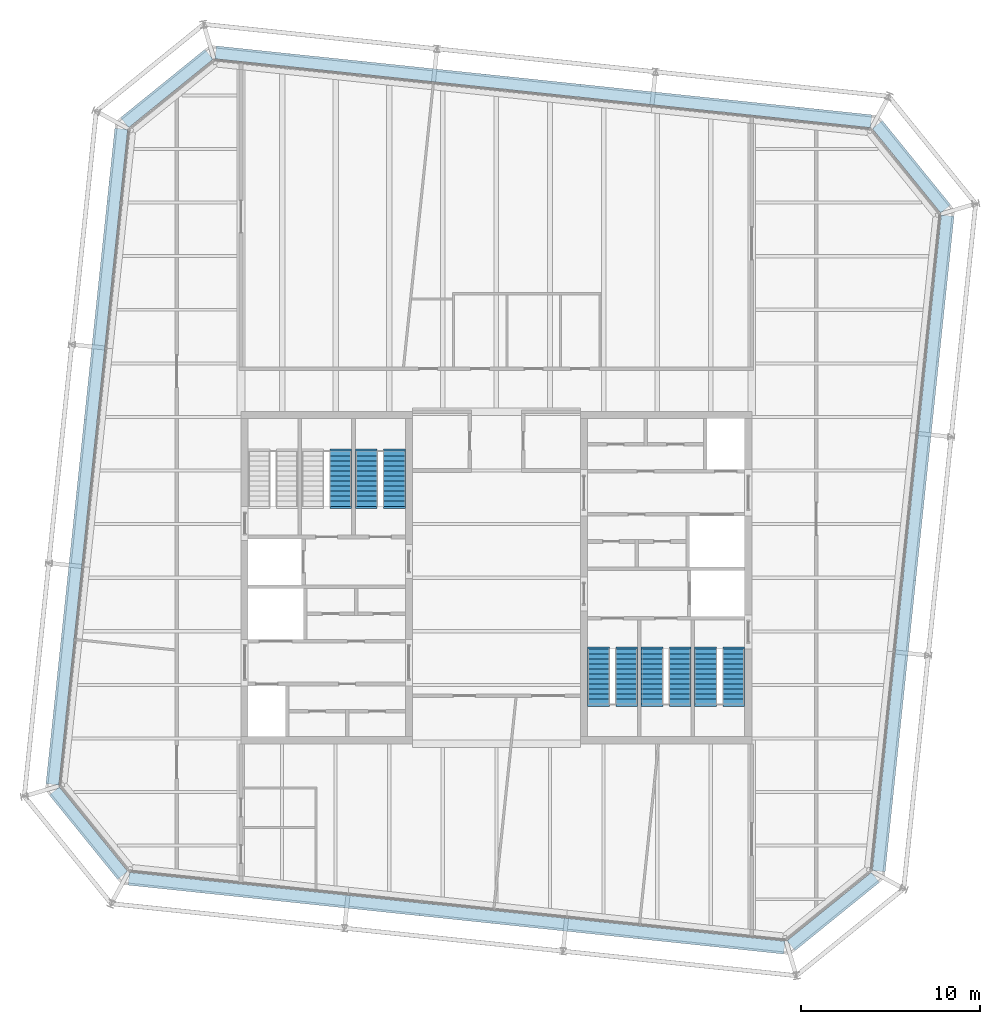
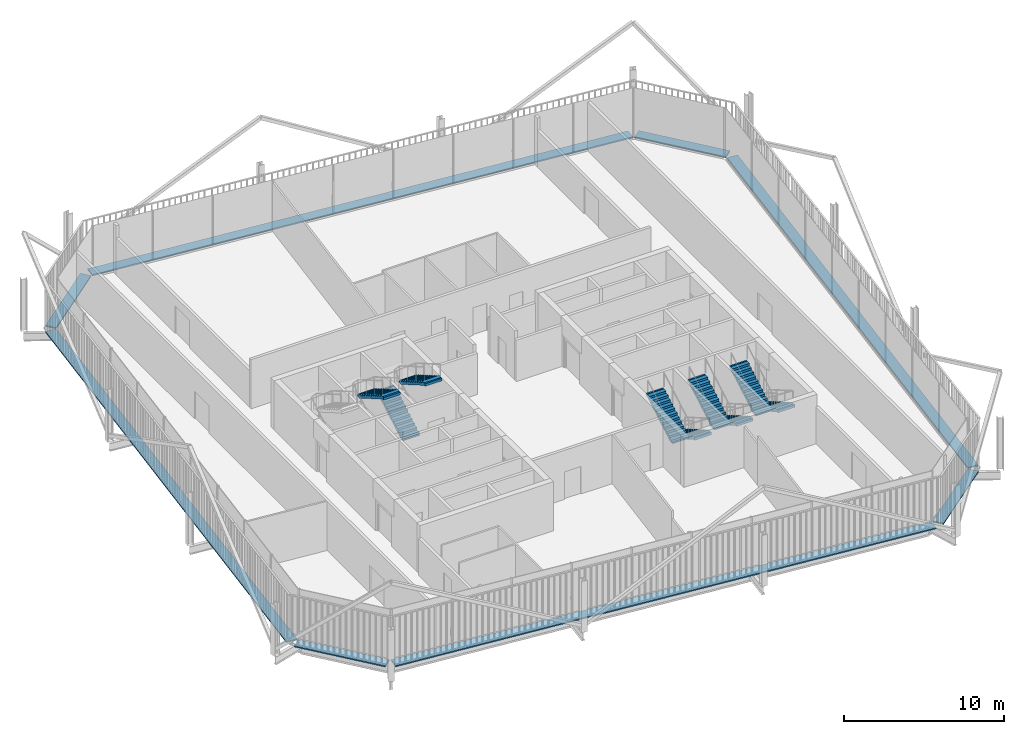
# One storey, part 20 of 21: 9 stair flights, 8 discrete accessories, 5 elements without a shape of their own.
"""IFC4 building model written with IfcOpenShell, lengths in metres."""

from ifc_helpers import new_model, si_unit, direction, frame, origin, origin_2d, place, context, subcontext, project, spatial, polyline, rectangle, outline, extrude, material, type_object, element, aggregate, save


model = new_model("IFC4")

# Units and contexts
model_context = context("Model", 3, precision=1e-05, world=origin(), true_north=direction((0.0, 1.0)))
body_context = subcontext(model_context, "Body", "Model", "MODEL_VIEW")
ifc_project = project(units=[si_unit("LENGTHUNIT", "METRE"), si_unit("AREAUNIT", "SQUARE_METRE"), si_unit("VOLUMEUNIT", "CUBIC_METRE"), si_unit("PLANEANGLEUNIT", "RADIAN"), si_unit("MASSUNIT", "GRAM", prefix="KILO")], contexts=[model_context])

# Site, building, storey
site_placement = place(None, origin())
site = spatial("IfcSite", under=ifc_project, at=site_placement, CompositionType="ELEMENT")
building_placement = place(site_placement, origin())
building = spatial("IfcBuilding", under=site, at=building_placement, Name="Millrace Tower", CompositionType="ELEMENT")
storey_placement = place(building_placement, frame((0.0, 0.0, 326.5)))
storey = spatial("IfcBuildingStorey", under=building, at=storey_placement, Name="L75", CompositionType="ELEMENT", Elevation=326.5)

# Stair, stair flight
ifc_material_1 = material(Name="Concrete C35", Category="concrete")
stair_type = type_object("IfcStairType", Name="Exit stair", PredefinedType="HALF_TURN_STAIR", material=ifc_material_1)
placement = place(storey_placement, origin())
stair_1 = element("IfcStair", 1, at=placement, inside=storey, type_object=stair_type, Name="Stair 2 W L75", PredefinedType="HALF_TURN_STAIR")
ifc_material_2 = material(Name="Concrete C35", Category="concrete")
stair_flight_type = type_object("IfcStairFlightType", Name="Exit stair flight", PredefinedType="STRAIGHT", material=ifc_material_2)
stair_flight_1_placement = place(storey_placement, frame((-8.7099609375, 7.080078125, 1.949951171875), z_axis=(0.0, 0.0, 1.0), x_axis=(0.0, -1.0, 0.0)))
stair_flight_1 = element("IfcStairFlight", 2, at=stair_flight_1_placement, type_object=stair_flight_type, Name="ST12 flight 2", NumberOfRisers=12, NumberOfTreads=11, PredefinedType="STRAIGHT", RiserHeight=0.1625, TreadLength=0.28, context=body_context, shape_type="SweptSolid", body=[
    extrude(outline(polyline([(-0.1201171875, -0.0400390625), (-0.1201171875, 0.0), (0.0, 0.0), (0.0, 0.16259765625), (0.280029296875, 0.16259765625), (0.280029296875, 0.324951171875), (0.56005859375, 0.324951171875), (0.56005859375, 0.487548828125), (0.840087890625, 0.487548828125), (0.840087890625, 0.64990234375), (1.1201171875, 0.64990234375), (1.1201171875, 0.8125), (1.39990234375, 0.8125), (1.39990234375, 0.97509765625), (1.679931640625, 0.97509765625), (1.679931640625, 1.137451171875), (1.9599609375, 1.137451171875), (1.9599609375, 1.300048828125), (2.239990234375, 1.300048828125), (2.239990234375, 1.46240234375), (2.52001953125, 1.46240234375), (2.52001953125, 1.625), (2.800048828125, 1.625), (2.800048828125, 1.78759765625), (3.080078125, 1.78759765625), (3.080078125, 1.8076171875), (3.199951171875, 1.8076171875), (3.199951171875, 1.6142578125), (3.080078125, 1.6142578125), (0.298583984375, 0.0), (0.298583984375, -0.0400390625), (-0.1201171875, -0.0400390625)])), frame((0.0, 0.60986328125, 0.0), z_axis=(0.0, -1.0, 0.0), x_axis=(1.0, 0.0, 0.0)), (0.0, 0.0, 1.0), 1.219970703125),
])
aggregate(stair_1, [stair_flight_1])

# Stair, stair flights
stair_2 = element("IfcStair", 3, at=placement, inside=storey, type_object=stair_type, Name="Stair 3 W L75", PredefinedType="HALF_TURN_STAIR")
stair_flight_2_placement = place(storey_placement, frame((-7.2900390625, 4.0, 0.0), z_axis=(0.0, 0.0, 1.0), x_axis=(0.0, 1.0, 0.0)))
stair_flight_2 = element("IfcStairFlight", 4, at=stair_flight_2_placement, type_object=stair_flight_type, Name="ST12 flight 1", NumberOfRisers=12, NumberOfTreads=11, PredefinedType="STRAIGHT", RiserHeight=0.1625, TreadLength=0.28, context=body_context, shape_type="SweptSolid", body=[
    extrude(outline(polyline([(-0.1201171875, -0.0400390625), (-0.1201171875, 0.0), (0.0, 0.0), (0.0, 0.16259765625), (0.280029296875, 0.16259765625), (0.280029296875, 0.324951171875), (0.56005859375, 0.324951171875), (0.56005859375, 0.487548828125), (0.840087890625, 0.487548828125), (0.840087890625, 0.64990234375), (1.1201171875, 0.64990234375), (1.1201171875, 0.8125), (1.39990234375, 0.8125), (1.39990234375, 0.97509765625), (1.679931640625, 0.97509765625), (1.679931640625, 1.137451171875), (1.9599609375, 1.137451171875), (1.9599609375, 1.300048828125), (2.239990234375, 1.300048828125), (2.239990234375, 1.46240234375), (2.52001953125, 1.46240234375), (2.52001953125, 1.625), (2.800048828125, 1.625), (2.800048828125, 1.78759765625), (3.080078125, 1.78759765625), (3.080078125, 1.8076171875), (3.199951171875, 1.8076171875), (3.199951171875, 1.6142578125), (3.080078125, 1.6142578125), (0.298583984375, 0.0), (0.298583984375, -0.0400390625), (-0.1201171875, -0.0400390625)])), frame((0.0, 0.60986328125, 0.0), z_axis=(0.0, -1.0, 0.0), x_axis=(1.0, 0.0, 0.0)), (0.0, 0.0, 1.0), 1.219970703125),
])
stair_flight_3_placement = place(storey_placement, frame((-5.7099609375, 7.080078125, 1.949951171875), z_axis=(0.0, 0.0, 1.0), x_axis=(0.0, -1.0, 0.0)))
stair_flight_3 = element("IfcStairFlight", 5, at=stair_flight_3_placement, type_object=stair_flight_type, Name="ST12 flight 2", NumberOfRisers=12, NumberOfTreads=11, PredefinedType="STRAIGHT", RiserHeight=0.1625, TreadLength=0.28, context=body_context, shape_type="SweptSolid", body=[
    extrude(outline(polyline([(-0.1201171875, -0.0400390625), (-0.1201171875, 0.0), (0.0, 0.0), (0.0, 0.16259765625), (0.280029296875, 0.16259765625), (0.280029296875, 0.324951171875), (0.56005859375, 0.324951171875), (0.56005859375, 0.487548828125), (0.840087890625, 0.487548828125), (0.840087890625, 0.64990234375), (1.1201171875, 0.64990234375), (1.1201171875, 0.8125), (1.39990234375, 0.8125), (1.39990234375, 0.97509765625), (1.679931640625, 0.97509765625), (1.679931640625, 1.137451171875), (1.9599609375, 1.137451171875), (1.9599609375, 1.300048828125), (2.239990234375, 1.300048828125), (2.239990234375, 1.46240234375), (2.52001953125, 1.46240234375), (2.52001953125, 1.625), (2.800048828125, 1.625), (2.800048828125, 1.78759765625), (3.080078125, 1.78759765625), (3.080078125, 1.8076171875), (3.199951171875, 1.8076171875), (3.199951171875, 1.6142578125), (3.080078125, 1.6142578125), (0.298583984375, 0.0), (0.298583984375, -0.0400390625), (-0.1201171875, -0.0400390625)])), frame((0.0, 0.60986328125, 0.0), z_axis=(0.0, -1.0, 0.0), x_axis=(1.0, 0.0, 0.0)), (0.0, 0.0, 1.0), 1.219970703125),
])
aggregate(stair_2, [stair_flight_2, stair_flight_3])

stair_3 = element("IfcStair", 6, at=placement, inside=storey, type_object=stair_type, Name="Stair 1 E L75", PredefinedType="HALF_TURN_STAIR")
stair_flight_4_placement = place(storey_placement, frame((13.2900390625, -4.0, 0.0), z_axis=(0.0, 0.0, 1.0), x_axis=(0.0, -1.0, 0.0)))
stair_flight_4 = element("IfcStairFlight", 7, at=stair_flight_4_placement, type_object=stair_flight_type, Name="ST12 flight 1", NumberOfRisers=12, NumberOfTreads=11, PredefinedType="STRAIGHT", RiserHeight=0.1625, TreadLength=0.28, context=body_context, shape_type="SweptSolid", body=[
    extrude(outline(polyline([(-0.1201171875, -0.0400390625), (-0.1201171875, 0.0), (0.0, 0.0), (0.0, 0.16259765625), (0.280029296875, 0.16259765625), (0.280029296875, 0.324951171875), (0.56005859375, 0.324951171875), (0.56005859375, 0.487548828125), (0.840087890625, 0.487548828125), (0.840087890625, 0.64990234375), (1.1201171875, 0.64990234375), (1.1201171875, 0.8125), (1.39990234375, 0.8125), (1.39990234375, 0.97509765625), (1.679931640625, 0.97509765625), (1.679931640625, 1.137451171875), (1.9599609375, 1.137451171875), (1.9599609375, 1.300048828125), (2.239990234375, 1.300048828125), (2.239990234375, 1.46240234375), (2.52001953125, 1.46240234375), (2.52001953125, 1.625), (2.800048828125, 1.625), (2.800048828125, 1.78759765625), (3.080078125, 1.78759765625), (3.080078125, 1.8076171875), (3.199951171875, 1.8076171875), (3.199951171875, 1.6142578125), (3.080078125, 1.6142578125), (0.298583984375, 0.0), (0.298583984375, -0.0400390625), (-0.1201171875, -0.0400390625)])), frame((0.0, 0.60986328125, 0.0), z_axis=(0.0, -1.0, 0.0), x_axis=(1.0, 0.0, 0.0)), (0.0, 0.0, 1.0), 1.219970703125),
])
stair_flight_5_placement = place(storey_placement, frame((11.7099609375, -7.080078125, 1.949951171875), z_axis=(0.0, 0.0, 1.0), x_axis=(0.0, 1.0, 0.0)))
stair_flight_5 = element("IfcStairFlight", 8, at=stair_flight_5_placement, type_object=stair_flight_type, Name="ST12 flight 2", NumberOfRisers=12, NumberOfTreads=11, PredefinedType="STRAIGHT", RiserHeight=0.1625, TreadLength=0.28, context=body_context, shape_type="SweptSolid", body=[
    extrude(outline(polyline([(-0.1201171875, -0.0400390625), (-0.1201171875, 0.0), (0.0, 0.0), (0.0, 0.16259765625), (0.280029296875, 0.16259765625), (0.280029296875, 0.324951171875), (0.56005859375, 0.324951171875), (0.56005859375, 0.487548828125), (0.840087890625, 0.487548828125), (0.840087890625, 0.64990234375), (1.1201171875, 0.64990234375), (1.1201171875, 0.8125), (1.39990234375, 0.8125), (1.39990234375, 0.97509765625), (1.679931640625, 0.97509765625), (1.679931640625, 1.137451171875), (1.9599609375, 1.137451171875), (1.9599609375, 1.300048828125), (2.239990234375, 1.300048828125), (2.239990234375, 1.46240234375), (2.52001953125, 1.46240234375), (2.52001953125, 1.625), (2.800048828125, 1.625), (2.800048828125, 1.78759765625), (3.080078125, 1.78759765625), (3.080078125, 1.8076171875), (3.199951171875, 1.8076171875), (3.199951171875, 1.6142578125), (3.080078125, 1.6142578125), (0.298583984375, 0.0), (0.298583984375, -0.0400390625), (-0.1201171875, -0.0400390625)])), frame((0.0, 0.60986328125, 0.0), z_axis=(0.0, -1.0, 0.0), x_axis=(1.0, 0.0, 0.0)), (0.0, 0.0, 1.0), 1.219970703125),
])
aggregate(stair_3, [stair_flight_4, stair_flight_5])

stair_4 = element("IfcStair", 9, at=placement, inside=storey, type_object=stair_type, Name="Stair 2 E L75", PredefinedType="HALF_TURN_STAIR")
stair_flight_6_placement = place(storey_placement, frame((10.2900390625, -4.0, 0.0), z_axis=(0.0, 0.0, 1.0), x_axis=(0.0, -1.0, 0.0)))
stair_flight_6 = element("IfcStairFlight", 10, at=stair_flight_6_placement, type_object=stair_flight_type, Name="ST12 flight 1", NumberOfRisers=12, NumberOfTreads=11, PredefinedType="STRAIGHT", RiserHeight=0.1625, TreadLength=0.28, context=body_context, shape_type="SweptSolid", body=[
    extrude(outline(polyline([(-0.1201171875, -0.0400390625), (-0.1201171875, 0.0), (0.0, 0.0), (0.0, 0.16259765625), (0.280029296875, 0.16259765625), (0.280029296875, 0.324951171875), (0.56005859375, 0.324951171875), (0.56005859375, 0.487548828125), (0.840087890625, 0.487548828125), (0.840087890625, 0.64990234375), (1.1201171875, 0.64990234375), (1.1201171875, 0.8125), (1.39990234375, 0.8125), (1.39990234375, 0.97509765625), (1.679931640625, 0.97509765625), (1.679931640625, 1.137451171875), (1.9599609375, 1.137451171875), (1.9599609375, 1.300048828125), (2.239990234375, 1.300048828125), (2.239990234375, 1.46240234375), (2.52001953125, 1.46240234375), (2.52001953125, 1.625), (2.800048828125, 1.625), (2.800048828125, 1.78759765625), (3.080078125, 1.78759765625), (3.080078125, 1.8076171875), (3.199951171875, 1.8076171875), (3.199951171875, 1.6142578125), (3.080078125, 1.6142578125), (0.298583984375, 0.0), (0.298583984375, -0.0400390625), (-0.1201171875, -0.0400390625)])), frame((0.0, 0.60986328125, 0.0), z_axis=(0.0, -1.0, 0.0), x_axis=(1.0, 0.0, 0.0)), (0.0, 0.0, 1.0), 1.219970703125),
])
stair_flight_7_placement = place(storey_placement, frame((8.7099609375, -7.080078125, 1.949951171875), z_axis=(0.0, 0.0, 1.0), x_axis=(0.0, 1.0, 0.0)))
stair_flight_7 = element("IfcStairFlight", 11, at=stair_flight_7_placement, type_object=stair_flight_type, Name="ST12 flight 2", NumberOfRisers=12, NumberOfTreads=11, PredefinedType="STRAIGHT", RiserHeight=0.1625, TreadLength=0.28, context=body_context, shape_type="SweptSolid", body=[
    extrude(outline(polyline([(-0.1201171875, -0.0400390625), (-0.1201171875, 0.0), (0.0, 0.0), (0.0, 0.16259765625), (0.280029296875, 0.16259765625), (0.280029296875, 0.324951171875), (0.56005859375, 0.324951171875), (0.56005859375, 0.487548828125), (0.840087890625, 0.487548828125), (0.840087890625, 0.64990234375), (1.1201171875, 0.64990234375), (1.1201171875, 0.8125), (1.39990234375, 0.8125), (1.39990234375, 0.97509765625), (1.679931640625, 0.97509765625), (1.679931640625, 1.137451171875), (1.9599609375, 1.137451171875), (1.9599609375, 1.300048828125), (2.239990234375, 1.300048828125), (2.239990234375, 1.46240234375), (2.52001953125, 1.46240234375), (2.52001953125, 1.625), (2.800048828125, 1.625), (2.800048828125, 1.78759765625), (3.080078125, 1.78759765625), (3.080078125, 1.8076171875), (3.199951171875, 1.8076171875), (3.199951171875, 1.6142578125), (3.080078125, 1.6142578125), (0.298583984375, 0.0), (0.298583984375, -0.0400390625), (-0.1201171875, -0.0400390625)])), frame((0.0, 0.60986328125, 0.0), z_axis=(0.0, -1.0, 0.0), x_axis=(1.0, 0.0, 0.0)), (0.0, 0.0, 1.0), 1.219970703125),
])
aggregate(stair_4, [stair_flight_6, stair_flight_7])

stair_5 = element("IfcStair", 12, at=placement, inside=storey, type_object=stair_type, Name="Stair 3 E L75", PredefinedType="HALF_TURN_STAIR")
stair_flight_8_placement = place(storey_placement, frame((7.2900390625, -4.0, 0.0), z_axis=(0.0, 0.0, 1.0), x_axis=(0.0, -1.0, 0.0)))
stair_flight_8 = element("IfcStairFlight", 13, at=stair_flight_8_placement, type_object=stair_flight_type, Name="ST12 flight 1", NumberOfRisers=12, NumberOfTreads=11, PredefinedType="STRAIGHT", RiserHeight=0.1625, TreadLength=0.28, context=body_context, shape_type="SweptSolid", body=[
    extrude(outline(polyline([(-0.1201171875, -0.0400390625), (-0.1201171875, 0.0), (0.0, 0.0), (0.0, 0.16259765625), (0.280029296875, 0.16259765625), (0.280029296875, 0.324951171875), (0.56005859375, 0.324951171875), (0.56005859375, 0.487548828125), (0.840087890625, 0.487548828125), (0.840087890625, 0.64990234375), (1.1201171875, 0.64990234375), (1.1201171875, 0.8125), (1.39990234375, 0.8125), (1.39990234375, 0.97509765625), (1.679931640625, 0.97509765625), (1.679931640625, 1.137451171875), (1.9599609375, 1.137451171875), (1.9599609375, 1.300048828125), (2.239990234375, 1.300048828125), (2.239990234375, 1.46240234375), (2.52001953125, 1.46240234375), (2.52001953125, 1.625), (2.800048828125, 1.625), (2.800048828125, 1.78759765625), (3.080078125, 1.78759765625), (3.080078125, 1.8076171875), (3.199951171875, 1.8076171875), (3.199951171875, 1.6142578125), (3.080078125, 1.6142578125), (0.298583984375, 0.0), (0.298583984375, -0.0400390625), (-0.1201171875, -0.0400390625)])), frame((0.0, 0.60986328125, 0.0), z_axis=(0.0, -1.0, 0.0), x_axis=(1.0, 0.0, 0.0)), (0.0, 0.0, 1.0), 1.219970703125),
])
stair_flight_9_placement = place(storey_placement, frame((5.7099609375, -7.080078125, 1.949951171875), z_axis=(0.0, 0.0, 1.0), x_axis=(0.0, 1.0, 0.0)))
stair_flight_9 = element("IfcStairFlight", 14, at=stair_flight_9_placement, type_object=stair_flight_type, Name="ST12 flight 2", NumberOfRisers=12, NumberOfTreads=11, PredefinedType="STRAIGHT", RiserHeight=0.1625, TreadLength=0.28, context=body_context, shape_type="SweptSolid", body=[
    extrude(outline(polyline([(-0.1201171875, -0.0400390625), (-0.1201171875, 0.0), (0.0, 0.0), (0.0, 0.16259765625), (0.280029296875, 0.16259765625), (0.280029296875, 0.324951171875), (0.56005859375, 0.324951171875), (0.56005859375, 0.487548828125), (0.840087890625, 0.487548828125), (0.840087890625, 0.64990234375), (1.1201171875, 0.64990234375), (1.1201171875, 0.8125), (1.39990234375, 0.8125), (1.39990234375, 0.97509765625), (1.679931640625, 0.97509765625), (1.679931640625, 1.137451171875), (1.9599609375, 1.137451171875), (1.9599609375, 1.300048828125), (2.239990234375, 1.300048828125), (2.239990234375, 1.46240234375), (2.52001953125, 1.46240234375), (2.52001953125, 1.625), (2.800048828125, 1.625), (2.800048828125, 1.78759765625), (3.080078125, 1.78759765625), (3.080078125, 1.8076171875), (3.199951171875, 1.8076171875), (3.199951171875, 1.6142578125), (3.080078125, 1.6142578125), (0.298583984375, 0.0), (0.298583984375, -0.0400390625), (-0.1201171875, -0.0400390625)])), frame((0.0, 0.60986328125, 0.0), z_axis=(0.0, -1.0, 0.0), x_axis=(1.0, 0.0, 0.0)), (0.0, 0.0, 1.0), 1.219970703125),
])
aggregate(stair_5, [stair_flight_8, stair_flight_9])

# Discrete accessories
ifc_material_3 = material(Name="Stainless steel ASTM A240 type 316", Category="steel")
discrete_accessory_type = type_object("IfcDiscreteAccessoryType", Name="Thermally broken screen support rail", PredefinedType="BRACKET", material=ifc_material_3)
discrete_accessory_1_placement = place(storey_placement, frame((-22.836669921875, -14.304931640625, 0.0), z_axis=(0.0, 0.0, 1.0), x_axis=(0.629320278945, -0.777146052237, 0.0)))
element("IfcDiscreteAccessory", 15, at=discrete_accessory_1_placement, inside=storey, type_object=discrete_accessory_type, Name="Thermally broken screen support rail E-F01 L75 1", PredefinedType="BRACKET", context=body_context, shape_type="SweptSolid", body=[
    extrude(rectangle(XDim=6.0810546875, YDim=0.719970703125, at=origin_2d()), origin(), (0.0, 0.0, 1.0), 0.10009765625),
])
discrete_accessory_2_placement = place(storey_placement, frame((-2.2314453125, -18.782470703125, 0.0), z_axis=(0.0, 0.0, 1.0), x_axis=(0.994521896217, -0.104528455196, 0.0)))
element("IfcDiscreteAccessory", 16, at=discrete_accessory_2_placement, inside=storey, type_object=discrete_accessory_type, Name="Thermally broken screen support rail E-F02 L75 1", PredefinedType="BRACKET", context=body_context, shape_type="SweptSolid", body=[
    extrude(rectangle(XDim=36.89990234375, YDim=0.719970703125, at=origin_2d()), origin(), (0.0, 0.0, 1.0), 0.10009765625),
])
discrete_accessory_3_placement = place(storey_placement, frame((18.854736328125, -18.686767578125, 0.0), z_axis=(0.0, 0.0, 1.0), x_axis=(0.777146052237, 0.629320278945, 0.0)))
element("IfcDiscreteAccessory", 17, at=discrete_accessory_3_placement, inside=storey, type_object=discrete_accessory_type, Name="Thermally broken screen support rail E-F03 L75 1", PredefinedType="BRACKET", context=body_context, shape_type="SweptSolid", body=[
    extrude(rectangle(XDim=6.0810546875, YDim=0.719970703125, at=origin_2d()), origin(), (0.0, 0.0, 1.0), 0.10009765625),
])
discrete_accessory_4_placement = place(storey_placement, frame((23.33251953125, 1.918701171875, 0.0), z_axis=(0.0, 0.0, 1.0), x_axis=(0.104528455196, 0.994521896217, 0.0)))
element("IfcDiscreteAccessory", 18, at=discrete_accessory_4_placement, inside=storey, type_object=discrete_accessory_type, Name="Thermally broken screen support rail E-F04 L75 1", PredefinedType="BRACKET", context=body_context, shape_type="SweptSolid", body=[
    extrude(rectangle(XDim=36.89990234375, YDim=0.719970703125, at=origin_2d()), origin(), (0.0, 0.0, 1.0), 0.10009765625),
])
discrete_accessory_5_placement = place(storey_placement, frame((23.23681640625, 23.0048828125, 0.0), z_axis=(0.0, 0.0, 1.0), x_axis=(-0.629320278945, 0.777146052237, 0.0)))
element("IfcDiscreteAccessory", 19, at=discrete_accessory_5_placement, inside=storey, type_object=discrete_accessory_type, Name="Thermally broken screen support rail E-F05 L75 1", PredefinedType="BRACKET", context=body_context, shape_type="SweptSolid", body=[
    extrude(rectangle(XDim=6.0810546875, YDim=0.719970703125, at=origin_2d()), origin(), (0.0, 0.0, 1.0), 0.10009765625),
])
discrete_accessory_6_placement = place(storey_placement, frame((2.63134765625, 27.482666015625, 0.0), z_axis=(0.0, 0.0, 1.0), x_axis=(-0.994521896217, 0.104528455196, 0.0)))
element("IfcDiscreteAccessory", 20, at=discrete_accessory_6_placement, inside=storey, type_object=discrete_accessory_type, Name="Thermally broken screen support rail E-F06 L75 1", PredefinedType="BRACKET", context=body_context, shape_type="SweptSolid", body=[
    extrude(rectangle(XDim=36.89990234375, YDim=0.719970703125, at=origin_2d()), origin(), (0.0, 0.0, 1.0), 0.10009765625),
])
discrete_accessory_7_placement = place(storey_placement, frame((-18.454833984375, 27.38671875, 0.0), z_axis=(0.0, 0.0, 1.0), x_axis=(-0.777146052237, -0.629320278945, 0.0)))
element("IfcDiscreteAccessory", 21, at=discrete_accessory_7_placement, inside=storey, type_object=discrete_accessory_type, Name="Thermally broken screen support rail E-F07 L75 1", PredefinedType="BRACKET", context=body_context, shape_type="SweptSolid", body=[
    extrude(rectangle(XDim=6.0810546875, YDim=0.719970703125, at=origin_2d()), origin(), (0.0, 0.0, 1.0), 0.10009765625),
])
discrete_accessory_8_placement = place(storey_placement, frame((-22.9326171875, 6.78125, 0.0), z_axis=(0.0, 0.0, 1.0), x_axis=(-0.104528455196, -0.994521896217, 0.0)))
element("IfcDiscreteAccessory", 22, at=discrete_accessory_8_placement, inside=storey, type_object=discrete_accessory_type, Name="Thermally broken screen support rail E-F08 L75 1", PredefinedType="BRACKET", context=body_context, shape_type="SweptSolid", body=[
    extrude(rectangle(XDim=36.89990234375, YDim=0.719970703125, at=origin_2d()), origin(), (0.0, 0.0, 1.0), 0.10009765625),
])

save(model, "model.ifc")
